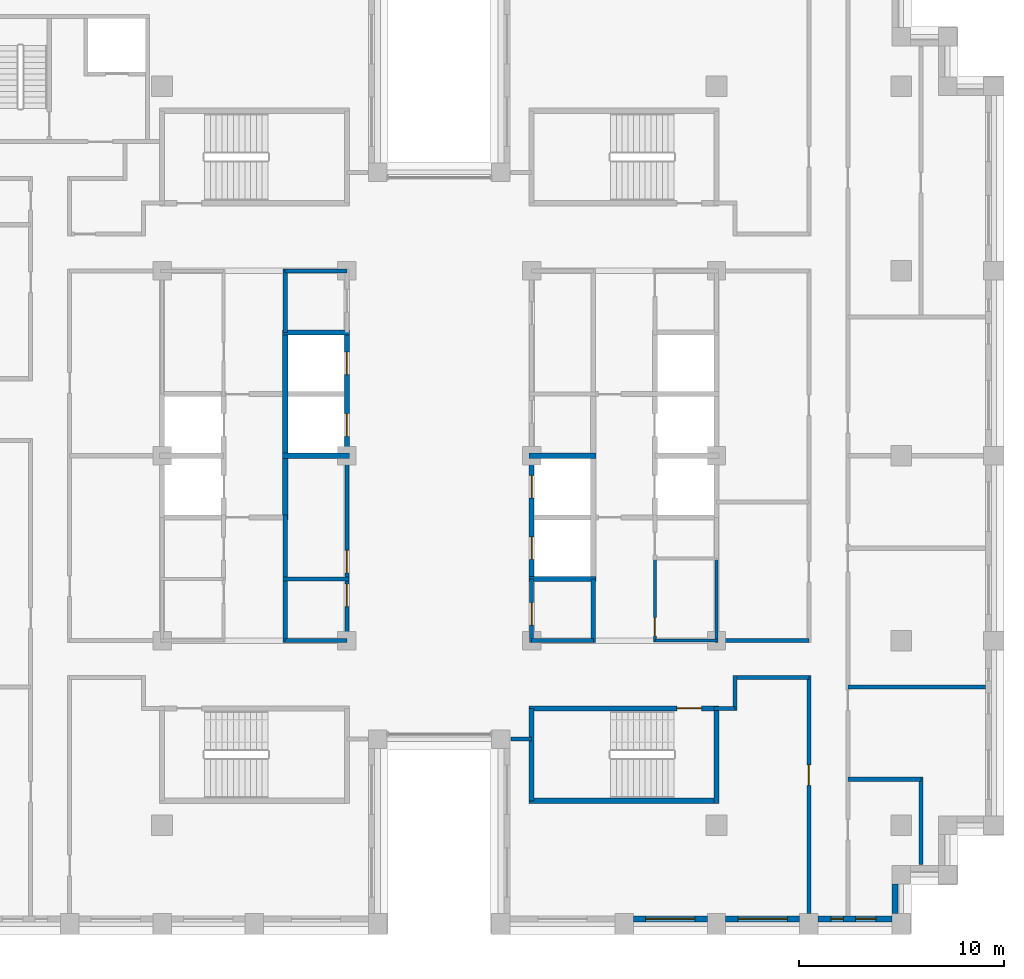
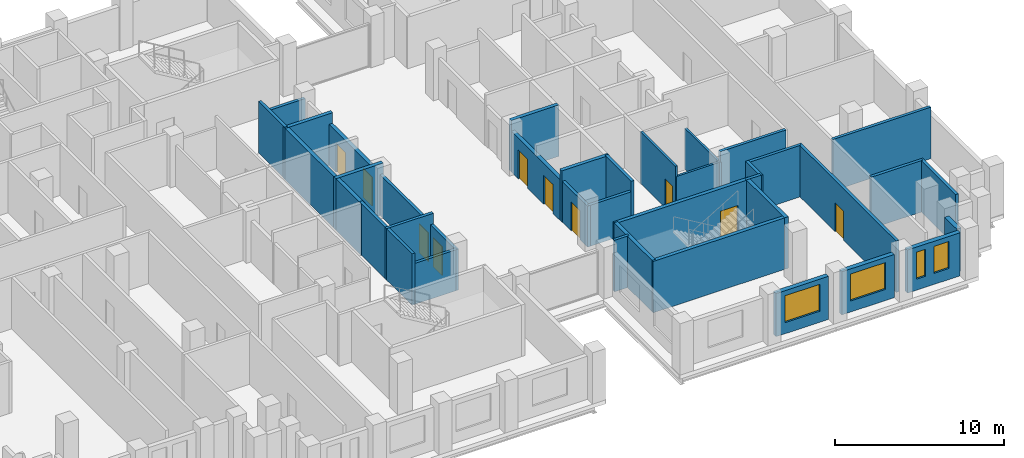
# One storey, part 8 of 15: 36 walls, 10 doors, 4 windows, 14 openings.
"""IFC4 building model written with IfcOpenShell, lengths in metres."""

from ifc_helpers import new_model, si_unit, direction, frame, frame_2d, origin, place, context, subcontext, project, spatial, rectangle, extrude, material, layer, layer_set, type_object, element, fill, save


model = new_model("IFC4")

# Units and contexts
model_context = context("Model", 3, precision=1e-05, world=origin(), true_north=direction((0.0, 1.0)))
body_context = subcontext(model_context, "Body", "Model", "MODEL_VIEW")
ifc_project = project(units=[si_unit("LENGTHUNIT", "METRE"), si_unit("AREAUNIT", "SQUARE_METRE"), si_unit("VOLUMEUNIT", "CUBIC_METRE"), si_unit("PLANEANGLEUNIT", "RADIAN"), si_unit("MASSUNIT", "GRAM", prefix="KILO")], contexts=[model_context])

# Site, building, storey
site_placement = place(None, origin())
site = spatial("IfcSite", under=ifc_project, at=site_placement, CompositionType="ELEMENT")
building_placement = place(site_placement, origin())
building = spatial("IfcBuilding", under=site, at=building_placement, Name="Corbelhall Arena Tower", CompositionType="ELEMENT")
storey_placement = place(building_placement, frame((0.0, 0.0, 204.0)))
storey = spatial("IfcBuildingStorey", under=building, at=storey_placement, Name="L42", CompositionType="ELEMENT", Elevation=204.0)

# Wall, opening, window
ifc_material_1 = material(Name="Precast concrete C40/50 with granite facing", Category="masonry")
ifc_layer_1 = layer(ifc_material_1, 0.300048828125)
ifc_layer_set_1 = layer_set([ifc_layer_1], Name="EV-IW1 Infill panel 300")
wall_type_1 = type_object("IfcWallType", Name="EV-IW1 Infill panel 300", PredefinedType="SOLIDWALL", material=ifc_layer_set_1)
wall_1_placement = place(storey_placement, frame((9.449951171875, -22.550048828125, 0.0), z_axis=(0.0, 0.0, 1.0), x_axis=(1.0, 0.0, 0.0)))
wall_1 = element("IfcWall", 1, at=wall_1_placement, inside=storey, type_object=wall_type_1, Name="Infill panel IW1", PredefinedType="SOLIDWALL", context=body_context, shape_type="SweptSolid", body=[
    extrude(rectangle(XDim=3.60009765625, YDim=0.300048828125, at=frame_2d((1.800048828125, 0.0))), origin(), (0.0, 0.0, 1.0), 3.1201171875),
])
opening_1_placement = place(wall_1_placement, frame((0.60009765625, 0.0, 0.800048828125)))
opening_1 = element("IfcOpeningElement", 2, at=opening_1_placement, cuts=wall_1, Name="Opening WN1", PredefinedType="OPENING", context=body_context, shape_type="SweptSolid", body=[
    extrude(rectangle(XDim=2.39990234375, YDim=1.949951171875, at=frame_2d((1.199951171875, 0.97509765625))), frame((0.0, 0.14990234375, 0.0), z_axis=(0.0, -1.0, 0.0), x_axis=(1.0, 0.0, 0.0)), (0.0, 0.0, 1.0), 0.300048828125),
])
ifc_material_2 = material(Name="Aluminium black anodised", Category="aluminium")
window_type_1 = type_object("IfcWindowType", Name="EV-WN1 Office window", PartitioningType="SINGLE_PANEL", PredefinedType="WINDOW", material=ifc_material_2)
window_1_placement = place(opening_1_placement, origin())
window_1 = element("IfcWindow", 3, at=window_1_placement, inside=storey, type_object=window_type_1, Name="Window WN1", OverallHeight=1.949951171875, OverallWidth=2.39990234375, PartitioningType="SINGLE_PANEL", PredefinedType="WINDOW", context=body_context, shape_type="SweptSolid", body=[
    extrude(rectangle(XDim=2.39990234375, YDim=1.949951171875, at=frame_2d((1.199951171875, 0.97509765625))), frame((0.0, 0.030029296875, 0.0), z_axis=(0.0, -1.0, 0.0), x_axis=(1.0, 0.0, 0.0)), (0.0, 0.0, 1.0), 0.06005859375),
])
fill(opening_1, window_1)

wall_2_placement = place(storey_placement, frame((13.949951171875, -22.550048828125, 0.0), z_axis=(0.0, 0.0, 1.0), x_axis=(1.0, 0.0, 0.0)))
wall_2 = element("IfcWall", 4, at=wall_2_placement, inside=storey, type_object=wall_type_1, Name="Infill panel IW1", PredefinedType="SOLIDWALL", context=body_context, shape_type="SweptSolid", body=[
    extrude(rectangle(XDim=3.60009765625, YDim=0.300048828125, at=frame_2d((1.800048828125, 0.0))), origin(), (0.0, 0.0, 1.0), 3.1201171875),
])
opening_2_placement = place(wall_2_placement, frame((0.60009765625, 0.0, 0.800048828125)))
opening_2 = element("IfcOpeningElement", 5, at=opening_2_placement, cuts=wall_2, Name="Opening WN1", PredefinedType="OPENING", context=body_context, shape_type="SweptSolid", body=[
    extrude(rectangle(XDim=2.39990234375, YDim=1.949951171875, at=frame_2d((1.199951171875, 0.97509765625))), frame((0.0, 0.14990234375, 0.0), z_axis=(0.0, -1.0, 0.0), x_axis=(1.0, 0.0, 0.0)), (0.0, 0.0, 1.0), 0.300048828125),
])
window_2_placement = place(opening_2_placement, origin())
window_2 = element("IfcWindow", 6, at=window_2_placement, inside=storey, type_object=window_type_1, Name="Window WN1", OverallHeight=1.949951171875, OverallWidth=2.39990234375, PartitioningType="SINGLE_PANEL", PredefinedType="WINDOW", context=body_context, shape_type="SweptSolid", body=[
    extrude(rectangle(XDim=2.39990234375, YDim=1.949951171875, at=frame_2d((1.199951171875, 0.97509765625))), frame((0.0, 0.030029296875, 0.0), z_axis=(0.0, -1.0, 0.0), x_axis=(1.0, 0.0, 0.0)), (0.0, 0.0, 1.0), 0.06005859375),
])
fill(opening_2, window_2)

# Wall, openings, windows
wall_3_placement = place(storey_placement, frame((18.449951171875, -22.550048828125, 0.0), z_axis=(0.0, 0.0, 1.0), x_axis=(1.0, 0.0, 0.0)))
wall_3 = element("IfcWall", 7, at=wall_3_placement, inside=storey, type_object=wall_type_1, Name="Infill panel IW1", PredefinedType="SOLIDWALL", context=body_context, shape_type="SweptSolid", body=[
    extrude(rectangle(XDim=3.60009765625, YDim=0.300048828125, at=frame_2d((1.800048828125, 0.0))), origin(), (0.0, 0.0, 1.0), 3.1201171875),
])
opening_3_placement = place(wall_3_placement, frame((0.625, 0.0, 0.800048828125)))
opening_3 = element("IfcOpeningElement", 8, at=opening_3_placement, cuts=wall_3, Name="Opening WN5", PredefinedType="OPENING", context=body_context, shape_type="SweptSolid", body=[
    extrude(rectangle(XDim=0.60009765625, YDim=1.949951171875, at=frame_2d((0.300048828125, 0.97509765625))), frame((0.0, 0.14990234375, 0.0), z_axis=(0.0, -1.0, 0.0), x_axis=(1.0, 0.0, 0.0)), (0.0, 0.0, 1.0), 0.300048828125),
])
opening_4_placement = place(wall_3_placement, frame((1.824951171875, 0.0, 0.800048828125)))
opening_4 = element("IfcOpeningElement", 9, at=opening_4_placement, cuts=wall_3, Name="Opening WN6", PredefinedType="OPENING", context=body_context, shape_type="SweptSolid", body=[
    extrude(rectangle(XDim=1.0, YDim=1.949951171875, at=frame_2d((0.5, 0.97509765625))), frame((0.0, 0.14990234375, 0.0), z_axis=(0.0, -1.0, 0.0), x_axis=(1.0, 0.0, 0.0)), (0.0, 0.0, 1.0), 0.300048828125),
])
window_type_2 = type_object("IfcWindowType", Name="EV-WN5 Office window 600", PartitioningType="SINGLE_PANEL", PredefinedType="WINDOW", material=ifc_material_2)
window_3_placement = place(opening_3_placement, origin())
window_3 = element("IfcWindow", 10, at=window_3_placement, inside=storey, type_object=window_type_2, Name="Window WN5", OverallHeight=1.949951171875, OverallWidth=0.60009765625, PartitioningType="SINGLE_PANEL", PredefinedType="WINDOW", context=body_context, shape_type="SweptSolid", body=[
    extrude(rectangle(XDim=0.60009765625, YDim=1.949951171875, at=frame_2d((0.300048828125, 0.97509765625))), frame((0.0, 0.030029296875, 0.0), z_axis=(0.0, -1.0, 0.0), x_axis=(1.0, 0.0, 0.0)), (0.0, 0.0, 1.0), 0.06005859375),
])
fill(opening_3, window_3)
window_type_3 = type_object("IfcWindowType", Name="EV-WN6 Office window 1000", PartitioningType="SINGLE_PANEL", PredefinedType="WINDOW", material=ifc_material_2)
window_4_placement = place(opening_4_placement, origin())
window_4 = element("IfcWindow", 11, at=window_4_placement, inside=storey, type_object=window_type_3, Name="Window WN6", OverallHeight=1.949951171875, OverallWidth=1.0, PartitioningType="SINGLE_PANEL", PredefinedType="WINDOW", context=body_context, shape_type="SweptSolid", body=[
    extrude(rectangle(XDim=1.0, YDim=1.949951171875, at=frame_2d((0.5, 0.97509765625))), frame((0.0, 0.030029296875, 0.0), z_axis=(0.0, -1.0, 0.0), x_axis=(1.0, 0.0, 0.0)), (0.0, 0.0, 1.0), 0.06005859375),
])
fill(opening_4, window_4)

# Walls
wall_4_placement = place(storey_placement, frame((22.199951171875, -22.300048828125, 0.0), z_axis=(0.0, 0.0, 1.0), x_axis=(0.0, 1.0, 0.0)))
element("IfcWall", 12, at=wall_4_placement, inside=storey, type_object=wall_type_1, Name="Infill panel IW1", PredefinedType="SOLIDWALL", context=body_context, shape_type="SweptSolid", body=[
    extrude(rectangle(XDim=1.449951171875, YDim=0.300048828125, at=frame_2d((0.72509765625, 0.0))), origin(), (0.0, 0.0, 1.0), 3.1201171875),
])
ifc_material_3 = material(Name="Gypsum board on steel stud, acoustic", Category="steel")
ifc_layer_2 = layer(ifc_material_3, 0.199951171875)
ifc_layer_set_2 = layer_set([ifc_layer_2], Name="IN-W-DM200")
wall_type_2 = type_object("IfcWallType", Name="IN-W-DM200", PredefinedType="PARTITIONING", material=ifc_layer_set_2)
wall_5_placement = place(storey_placement, frame((4.5, -13.800048828125, 0.0), z_axis=(0.0, 0.0, 1.0), x_axis=(-1.0, 0.0, 0.0)))
element("IfcWall", 13, at=wall_5_placement, inside=storey, type_object=wall_type_2, Name="Partition 035", PredefinedType="PARTITIONING", context=body_context, shape_type="SweptSolid", body=[
    extrude(rectangle(XDim=1.0, YDim=0.199951171875, at=frame_2d((0.5, 0.0))), origin(), (0.0, 0.0, 1.0), 3.719970703125),
])
wall_6_placement = place(storey_placement, frame((13.5, -9.0, 0.0), z_axis=(0.0, 0.0, 1.0), x_axis=(1.0, 0.0, 0.0)))
element("IfcWall", 14, at=wall_6_placement, inside=storey, type_object=wall_type_2, Name="Partition 037", PredefinedType="PARTITIONING", context=body_context, shape_type="SweptSolid", body=[
    extrude(rectangle(XDim=4.5, YDim=0.199951171875, at=frame_2d((2.25, 0.0))), origin(), (0.0, 0.0, 1.0), 3.719970703125),
])
wall_7_placement = place(storey_placement, frame((14.39990234375, -12.300048828125, 0.0), z_axis=(0.0, 0.0, 1.0), x_axis=(-1.0, 0.0, 0.0)))
element("IfcWall", 15, at=wall_7_placement, inside=storey, type_object=wall_type_2, Name="Partition 039", PredefinedType="PARTITIONING", context=body_context, shape_type="SweptSolid", body=[
    extrude(rectangle(XDim=1.02490234375, YDim=0.199951171875, at=frame_2d((0.512451171875, 0.0))), origin(), (0.0, 0.0, 1.0), 3.719970703125),
])
wall_8_placement = place(storey_placement, frame((14.39990234375, -10.699951171875, 0.0), z_axis=(0.0, 0.0, 1.0), x_axis=(0.0, -1.0, 0.0)))
element("IfcWall", 16, at=wall_8_placement, inside=storey, type_object=wall_type_2, Name="Partition 040", PredefinedType="PARTITIONING", context=body_context, shape_type="SweptSolid", body=[
    extrude(rectangle(XDim=1.699951171875, YDim=0.199951171875, at=frame_2d((0.85009765625, 0.0))), origin(), (0.0, 0.0, 1.0), 3.719970703125),
])

# Wall, opening, door
wall_9_placement = place(storey_placement, frame((18.0, -22.300048828125, 0.0), z_axis=(0.0, 0.0, 1.0), x_axis=(0.0, 1.0, 0.0)))
wall_9 = element("IfcWall", 17, at=wall_9_placement, inside=storey, type_object=wall_type_2, Name="Partition 044", PredefinedType="PARTITIONING", context=body_context, shape_type="SweptSolid", body=[
    extrude(rectangle(XDim=11.60009765625, YDim=0.199951171875, at=frame_2d((5.800048828125, 0.0))), origin(), (0.0, 0.0, 1.0), 3.719970703125),
])
opening_5_placement = place(wall_9_placement, frame((6.25, 0.0, 0.0)))
opening_5 = element("IfcOpeningElement", 18, at=opening_5_placement, cuts=wall_9, Name="Opening 12030", PredefinedType="OPENING", context=body_context, shape_type="SweptSolid", body=[
    extrude(rectangle(XDim=1.0, YDim=2.10009765625, at=frame_2d((0.5, 1.050048828125))), frame((0.0, 0.10009765625, 0.0), z_axis=(0.0, -1.0, 0.0), x_axis=(1.0, 0.0, 0.0)), (0.0, 0.0, 1.0), 0.199951171875),
])
ifc_material_4 = material(Name="Steel door set", Category="steel")
door_type_1 = type_object("IfcDoorType", Name="IN-D-SW100", OperationType="NOTDEFINED", PredefinedType="DOOR", material=ifc_material_4)
door_1_placement = place(opening_5_placement, origin())
door_1 = element("IfcDoor", 19, at=door_1_placement, inside=storey, type_object=door_type_1, Name="Door 030", OperationType="SINGLE_SWING_LEFT", OverallHeight=2.10009765625, OverallWidth=1.0, PredefinedType="DOOR", context=body_context, shape_type="SweptSolid", body=[
    extrude(rectangle(XDim=1.0, YDim=2.10009765625, at=frame_2d((0.5, 1.050048828125))), frame((0.0, 0.02490234375, 0.0), z_axis=(0.0, -1.0, 0.0), x_axis=(1.0, 0.0, 0.0)), (0.0, 0.0, 1.0), 0.050048828125),
])
fill(opening_5, door_1)

# Walls
wall_10_placement = place(storey_placement, frame((18.0, -10.800048828125, 0.0), z_axis=(0.0, 0.0, 1.0), x_axis=(-1.0, 0.0, 0.0)))
element("IfcWall", 20, at=wall_10_placement, inside=storey, type_object=wall_type_2, Name="Partition 045", PredefinedType="PARTITIONING", context=body_context, shape_type="SweptSolid", body=[
    extrude(rectangle(XDim=3.60009765625, YDim=0.199951171875, at=frame_2d((1.800048828125, 0.0))), origin(), (0.0, 0.0, 1.0), 3.719970703125),
])
wall_11_placement = place(storey_placement, frame((19.89990234375, -15.75, 0.0), z_axis=(0.0, 0.0, 1.0), x_axis=(1.0, 0.0, 0.0)))
element("IfcWall", 21, at=wall_11_placement, inside=storey, type_object=wall_type_2, Name="Partition 048", PredefinedType="PARTITIONING", context=body_context, shape_type="SweptSolid", body=[
    extrude(rectangle(XDim=3.550048828125, YDim=0.199951171875, at=frame_2d((1.77490234375, 0.0))), origin(), (0.0, 0.0, 1.0), 3.719970703125),
])
wall_12_placement = place(storey_placement, frame((19.89990234375, -11.25, 0.0), z_axis=(0.0, 0.0, 1.0), x_axis=(1.0, 0.0, 0.0)))
element("IfcWall", 22, at=wall_12_placement, inside=storey, type_object=wall_type_2, Name="Partition 050", PredefinedType="PARTITIONING", context=body_context, shape_type="SweptSolid", body=[
    extrude(rectangle(XDim=6.7001953125, YDim=0.199951171875, at=frame_2d((3.35009765625, 0.0))), origin(), (0.0, 0.0, 1.0), 3.719970703125),
])
wall_13_placement = place(storey_placement, frame((23.449951171875, -15.64990234375, 0.0), z_axis=(0.0, 0.0, 1.0), x_axis=(0.0, -1.0, 0.0)))
element("IfcWall", 23, at=wall_13_placement, inside=storey, type_object=wall_type_2, Name="Partition 053", PredefinedType="PARTITIONING", context=body_context, shape_type="SweptSolid", body=[
    extrude(rectangle(XDim=4.25, YDim=0.199951171875, at=frame_2d((2.125, 0.0))), origin(), (0.0, 0.0, 1.0), 3.719970703125),
])
ifc_material_5 = material(Name="Concrete block wall", Category="concrete")
ifc_layer_3 = layer(ifc_material_5, 0.199951171875)
ifc_layer_set_3 = layer_set([ifc_layer_3], Name="IN-W-RS200")
wall_type_3 = type_object("IfcWallType", Name="IN-W-RS200", PredefinedType="SOLIDWALL", material=ifc_layer_set_3)
wall_14_placement = place(storey_placement, frame((-7.60009765625, -6.0, 0.0), z_axis=(0.0, 0.0, 1.0), x_axis=(1.0, 0.0, 0.0)))
element("IfcWall", 24, at=wall_14_placement, inside=storey, type_object=wall_type_3, Name="Partition 058", PredefinedType="SOLIDWALL", context=body_context, shape_type="SweptSolid", body=[
    extrude(rectangle(XDim=3.2001953125, YDim=0.199951171875, at=frame_2d((1.60009765625, 0.0))), origin(), (0.0, 0.0, 1.0), 3.719970703125),
])
wall_15_placement = place(storey_placement, frame((-7.5, -9.10009765625, 0.0), z_axis=(0.0, 0.0, 1.0), x_axis=(0.0, 1.0, 0.0)))
element("IfcWall", 25, at=wall_15_placement, inside=storey, type_object=wall_type_3, Name="Partition 059", PredefinedType="SOLIDWALL", context=body_context, shape_type="SweptSolid", body=[
    extrude(rectangle(XDim=6.22509765625, YDim=0.199951171875, at=frame_2d((3.112548828125, 0.0))), origin(), (0.0, 0.0, 1.0), 3.719970703125),
])
for number, where, z_axis, x_axis, name in (
    (26, (-7.5, 6.0, 0.0), (0.0, 0.0, 1.0), (0.0, 1.0, 0.0), "Partition 060"),
    (27, (7.5, -6.0, 0.0), (0.0, 0.0, 1.0), (0.0, -1.0, 0.0), "Partition 070"),
):
    element("IfcWall", number, at=place(storey_placement, frame(where, z_axis=z_axis, x_axis=x_axis)), inside=storey, type_object=wall_type_3, Name=name, PredefinedType="SOLIDWALL", context=body_context, shape_type="SweptSolid", body=[
        extrude(rectangle(XDim=3.10009765625, YDim=0.199951171875, at=frame_2d((1.550048828125, 0.0))), origin(), (0.0, 0.0, 1.0), 3.719970703125),
    ])
ifc_layer_4 = layer(ifc_material_5, 0.199951171875)
ifc_layer_set_4 = layer_set([ifc_layer_4], Name="IN-W-RS200 under beam 762 mm")
wall_type_4 = type_object("IfcWallType", Name="IN-W-RS200 under beam 762 mm", PredefinedType="SOLIDWALL", material=ifc_layer_set_4)
for number, where, z_axis, x_axis, name in (
    (28, (-7.5, 9.0, 0.0), (0.0, 0.0, 1.0), (1.0, 0.0, 0.0), "Partition 061"),
    (29, (-4.5, -9.0, 0.0), (0.0, 0.0, 1.0), (-1.0, 0.0, 0.0), "Partition 062"),
):
    element("IfcWall", number, at=place(storey_placement, frame(where, z_axis=z_axis, x_axis=x_axis)), inside=storey, type_object=wall_type_4, Name=name, PredefinedType="SOLIDWALL", context=body_context, shape_type="SweptSolid", body=[
        extrude(rectangle(XDim=3.0, YDim=0.199951171875, at=frame_2d((1.5, 0.0))), origin(), (0.0, 0.0, 1.0), 2.9580078125),
    ])

# Wall, openings, doors
wall_16_placement = place(storey_placement, frame((-4.5, 0.0, 0.0), z_axis=(0.0, 0.0, 1.0), x_axis=(0.0, -1.0, 0.0)))
wall_16 = element("IfcWall", 30, at=wall_16_placement, inside=storey, type_object=wall_type_4, Name="Partition 063", PredefinedType="SOLIDWALL", context=body_context, shape_type="SweptSolid", body=[
    extrude(rectangle(XDim=9.10009765625, YDim=0.199951171875, at=frame_2d((4.550048828125, 0.0))), origin(), (0.0, 0.0, 1.0), 2.9580078125),
])
opening_6_placement = place(wall_16_placement, frame((6.25, 0.0, 0.0)))
opening_6 = element("IfcOpeningElement", 31, at=opening_6_placement, cuts=wall_16, Name="Opening 12001", PredefinedType="OPENING", context=body_context, shape_type="SweptSolid", body=[
    extrude(rectangle(XDim=1.10009765625, YDim=2.10009765625, at=frame_2d((0.550048828125, 1.050048828125))), frame((0.0, 0.10009765625, 0.0), z_axis=(0.0, -1.0, 0.0), x_axis=(1.0, 0.0, 0.0)), (0.0, 0.0, 1.0), 0.199951171875),
])
opening_7_placement = place(wall_16_placement, frame((4.60009765625, 0.0, 0.0)))
opening_7 = element("IfcOpeningElement", 32, at=opening_7_placement, cuts=wall_16, Name="Opening 12002", PredefinedType="OPENING", context=body_context, shape_type="SweptSolid", body=[
    extrude(rectangle(XDim=1.10009765625, YDim=2.10009765625, at=frame_2d((0.550048828125, 1.050048828125))), frame((0.0, 0.10009765625, 0.0), z_axis=(0.0, -1.0, 0.0), x_axis=(1.0, 0.0, 0.0)), (0.0, 0.0, 1.0), 0.199951171875),
])
door_type_2 = type_object("IfcDoorType", Name="IN-D-FD110", OperationType="NOTDEFINED", PredefinedType="DOOR", material=ifc_material_4)
door_2_placement = place(opening_6_placement, origin())
door_2 = element("IfcDoor", 33, at=door_2_placement, inside=storey, type_object=door_type_2, Name="Door 001", OperationType="SINGLE_SWING_RIGHT", OverallHeight=2.10009765625, OverallWidth=1.10009765625, PredefinedType="DOOR", context=body_context, shape_type="SweptSolid", body=[
    extrude(rectangle(XDim=1.10009765625, YDim=2.10009765625, at=frame_2d((0.550048828125, 1.050048828125))), frame((0.0, 0.02490234375, 0.0), z_axis=(0.0, -1.0, 0.0), x_axis=(1.0, 0.0, 0.0)), (0.0, 0.0, 1.0), 0.050048828125),
])
fill(opening_6, door_2)
door_3_placement = place(opening_7_placement, origin())
door_3 = element("IfcDoor", 34, at=door_3_placement, inside=storey, type_object=door_type_2, Name="Door 002", OperationType="SINGLE_SWING_LEFT", OverallHeight=2.10009765625, OverallWidth=1.10009765625, PredefinedType="DOOR", context=body_context, shape_type="SweptSolid", body=[
    extrude(rectangle(XDim=1.10009765625, YDim=2.10009765625, at=frame_2d((0.550048828125, 1.050048828125))), frame((0.0, 0.02490234375, 0.0), z_axis=(0.0, -1.0, 0.0), x_axis=(1.0, 0.0, 0.0)), (0.0, 0.0, 1.0), 0.050048828125),
])
fill(opening_7, door_3)

# Wall, opening, door
wall_17_placement = place(storey_placement, frame((4.5, -9.10009765625, 0.0), z_axis=(0.0, 0.0, 1.0), x_axis=(0.0, 1.0, 0.0)))
wall_17 = element("IfcWall", 35, at=wall_17_placement, inside=storey, type_object=wall_type_4, Name="Partition 066", PredefinedType="SOLIDWALL", context=body_context, shape_type="SweptSolid", body=[
    extrude(rectangle(XDim=3.10009765625, YDim=0.199951171875, at=frame_2d((1.550048828125, 0.0))), origin(), (0.0, 0.0, 1.0), 2.9580078125),
])
opening_8_placement = place(wall_17_placement, frame((0.85009765625, 0.0, 0.0)))
opening_8 = element("IfcOpeningElement", 36, at=opening_8_placement, cuts=wall_17, Name="Opening 12009", PredefinedType="OPENING", context=body_context, shape_type="SweptSolid", body=[
    extrude(rectangle(XDim=1.10009765625, YDim=2.10009765625, at=frame_2d((0.550048828125, 1.050048828125))), frame((0.0, 0.10009765625, 0.0), z_axis=(0.0, -1.0, 0.0), x_axis=(1.0, 0.0, 0.0)), (0.0, 0.0, 1.0), 0.199951171875),
])
door_4_placement = place(opening_8_placement, origin())
door_4 = element("IfcDoor", 37, at=door_4_placement, inside=storey, type_object=door_type_2, Name="Door 009", OperationType="SINGLE_SWING_RIGHT", OverallHeight=2.10009765625, OverallWidth=1.10009765625, PredefinedType="DOOR", context=body_context, shape_type="SweptSolid", body=[
    extrude(rectangle(XDim=1.10009765625, YDim=2.10009765625, at=frame_2d((0.550048828125, 1.050048828125))), frame((0.0, 0.02490234375, 0.0), z_axis=(0.0, -1.0, 0.0), x_axis=(1.0, 0.0, 0.0)), (0.0, 0.0, 1.0), 0.050048828125),
])
fill(opening_8, door_4)

# Walls
wall_18_placement = place(storey_placement, frame((7.5, -9.0, 0.0), z_axis=(0.0, 0.0, 1.0), x_axis=(-1.0, 0.0, 0.0)))
element("IfcWall", 38, at=wall_18_placement, inside=storey, type_object=wall_type_4, Name="Partition 069", PredefinedType="SOLIDWALL", context=body_context, shape_type="SweptSolid", body=[
    extrude(rectangle(XDim=3.0, YDim=0.199951171875, at=frame_2d((1.5, 0.0))), origin(), (0.0, 0.0, 1.0), 2.9580078125),
])
ifc_material_6 = material(Name="Concrete C40/50", Category="concrete")
ifc_layer_5 = layer(ifc_material_6, 0.25)
ifc_layer_set_5 = layer_set([ifc_layer_5], Name="IN-W-SH250")
wall_type_5 = type_object("IfcWallType", Name="IN-W-SH250", PredefinedType="SOLIDWALL", material=ifc_layer_set_5)
for number, where, z_axis, x_axis, name in (
    (39, (-7.625, 0.0, 0.0), (0.0, 0.0, 1.0), (1.0, 0.0, 0.0), "Shaft wall 082"),
    (40, (-7.625, 6.0, 0.0), (0.0, 0.0, 1.0), (1.0, 0.0, 0.0), "Shaft wall 083"),
):
    element("IfcWall", number, at=place(storey_placement, frame(where, z_axis=z_axis, x_axis=x_axis)), inside=storey, type_object=wall_type_5, Name=name, PredefinedType="SOLIDWALL", context=body_context, shape_type="SweptSolid", body=[
        extrude(rectangle(XDim=3.25, YDim=0.25, at=frame_2d((1.625, 0.0))), origin(), (0.0, 0.0, 1.0), 3.719970703125),
    ])
wall_19_placement = place(storey_placement, frame((-7.5, -3.125, 0.0), z_axis=(0.0, 0.0, 1.0), x_axis=(0.0, 1.0, 0.0)))
element("IfcWall", 41, at=wall_19_placement, inside=storey, type_object=wall_type_5, Name="Shaft wall 084", PredefinedType="SOLIDWALL", context=body_context, shape_type="SweptSolid", body=[
    extrude(rectangle(XDim=9.125, YDim=0.25, at=frame_2d((4.5625, 0.0))), origin(), (0.0, 0.0, 1.0), 3.719970703125),
])
for number, where, z_axis, x_axis, name in (
    (42, (4.375, -6.0, 0.0), (0.0, 0.0, 1.0), (1.0, 0.0, 0.0), "Shaft wall 086"),
    (43, (4.375, 0.0, 0.0), (0.0, 0.0, 1.0), (1.0, 0.0, 0.0), "Shaft wall 088"),
):
    element("IfcWall", number, at=place(storey_placement, frame(where, z_axis=z_axis, x_axis=x_axis)), inside=storey, type_object=wall_type_5, Name=name, PredefinedType="SOLIDWALL", context=body_context, shape_type="SweptSolid", body=[
        extrude(rectangle(XDim=3.25, YDim=0.25, at=frame_2d((1.625, 0.0))), origin(), (0.0, 0.0, 1.0), 3.719970703125),
    ])

# Wall, openings, doors
ifc_layer_6 = layer(ifc_material_6, 0.25)
ifc_layer_set_6 = layer_set([ifc_layer_6], Name="IN-W-SH250 under beam 762 mm")
wall_type_6 = type_object("IfcWallType", Name="IN-W-SH250 under beam 762 mm", PredefinedType="SOLIDWALL", material=ifc_layer_set_6)
wall_20_placement = place(storey_placement, frame((-4.5, 6.0, 0.0), z_axis=(0.0, 0.0, 1.0), x_axis=(0.0, -1.0, 0.0)))
wall_20 = element("IfcWall", 44, at=wall_20_placement, inside=storey, type_object=wall_type_6, Name="Shaft wall 085", PredefinedType="SOLIDWALL", context=body_context, shape_type="SweptSolid", body=[
    extrude(rectangle(XDim=6.0, YDim=0.25, at=frame_2d((3.0, 0.0))), origin(), (0.0, 0.0, 1.0), 2.9580078125),
])
opening_9_placement = place(wall_20_placement, frame((3.949951171875, 0.0, 0.0)))
opening_9 = element("IfcOpeningElement", 45, at=opening_9_placement, cuts=wall_20, Name="Opening LD", PredefinedType="OPENING", context=body_context, shape_type="SweptSolid", body=[
    extrude(rectangle(XDim=1.10009765625, YDim=2.10009765625, at=frame_2d((0.550048828125, 1.050048828125))), frame((0.0, 0.125, 0.0), z_axis=(0.0, -1.0, 0.0), x_axis=(1.0, 0.0, 0.0)), (0.0, 0.0, 1.0), 0.25),
])
opening_10_placement = place(wall_20_placement, frame((0.949951171875, 0.0, 0.0)))
opening_10 = element("IfcOpeningElement", 46, at=opening_10_placement, cuts=wall_20, Name="Opening LD", PredefinedType="OPENING", context=body_context, shape_type="SweptSolid", body=[
    extrude(rectangle(XDim=1.10009765625, YDim=2.10009765625, at=frame_2d((0.550048828125, 1.050048828125))), frame((0.0, 0.125, 0.0), z_axis=(0.0, -1.0, 0.0), x_axis=(1.0, 0.0, 0.0)), (0.0, 0.0, 1.0), 0.25),
])
door_type_3 = type_object("IfcDoorType", Name="IN-D-LD110", OperationType="NOTDEFINED", PredefinedType="DOOR", material=ifc_material_4)
door_5_placement = place(opening_9_placement, origin())
door_5 = element("IfcDoor", 47, at=door_5_placement, inside=storey, type_object=door_type_3, Name="Landing door W4", OperationType="SLIDING_TO_LEFT", OverallHeight=2.10009765625, OverallWidth=1.10009765625, PredefinedType="DOOR", context=body_context, shape_type="SweptSolid", body=[
    extrude(rectangle(XDim=1.10009765625, YDim=2.10009765625, at=frame_2d((0.550048828125, 1.050048828125))), frame((0.0, 0.02490234375, 0.0), z_axis=(0.0, -1.0, 0.0), x_axis=(1.0, 0.0, 0.0)), (0.0, 0.0, 1.0), 0.050048828125),
])
fill(opening_9, door_5)
door_6_placement = place(opening_10_placement, origin())
door_6 = element("IfcDoor", 48, at=door_6_placement, inside=storey, type_object=door_type_3, Name="Landing door W5", OperationType="SLIDING_TO_LEFT", OverallHeight=2.10009765625, OverallWidth=1.10009765625, PredefinedType="DOOR", context=body_context, shape_type="SweptSolid", body=[
    extrude(rectangle(XDim=1.10009765625, YDim=2.10009765625, at=frame_2d((0.550048828125, 1.050048828125))), frame((0.0, 0.02490234375, 0.0), z_axis=(0.0, -1.0, 0.0), x_axis=(1.0, 0.0, 0.0)), (0.0, 0.0, 1.0), 0.050048828125),
])
fill(opening_10, door_6)

wall_21_placement = place(storey_placement, frame((4.5, -6.0, 0.0), z_axis=(0.0, 0.0, 1.0), x_axis=(0.0, 1.0, 0.0)))
wall_21 = element("IfcWall", 49, at=wall_21_placement, inside=storey, type_object=wall_type_6, Name="Shaft wall 089", PredefinedType="SOLIDWALL", context=body_context, shape_type="SweptSolid", body=[
    extrude(rectangle(XDim=6.0, YDim=0.25, at=frame_2d((3.0, 0.0))), origin(), (0.0, 0.0, 1.0), 2.9580078125),
])
opening_11_placement = place(wall_21_placement, frame((0.949951171875, 0.0, 0.0)))
opening_11 = element("IfcOpeningElement", 50, at=opening_11_placement, cuts=wall_21, Name="Opening LD", PredefinedType="OPENING", context=body_context, shape_type="SweptSolid", body=[
    extrude(rectangle(XDim=1.10009765625, YDim=2.10009765625, at=frame_2d((0.550048828125, 1.050048828125))), frame((0.0, 0.125, 0.0), z_axis=(0.0, -1.0, 0.0), x_axis=(1.0, 0.0, 0.0)), (0.0, 0.0, 1.0), 0.25),
])
opening_12_placement = place(wall_21_placement, frame((3.949951171875, 0.0, 0.0)))
opening_12 = element("IfcOpeningElement", 51, at=opening_12_placement, cuts=wall_21, Name="Opening LD", PredefinedType="OPENING", context=body_context, shape_type="SweptSolid", body=[
    extrude(rectangle(XDim=1.10009765625, YDim=2.10009765625, at=frame_2d((0.550048828125, 1.050048828125))), frame((0.0, 0.125, 0.0), z_axis=(0.0, -1.0, 0.0), x_axis=(1.0, 0.0, 0.0)), (0.0, 0.0, 1.0), 0.25),
])
door_7_placement = place(opening_11_placement, origin())
door_7 = element("IfcDoor", 52, at=door_7_placement, inside=storey, type_object=door_type_3, Name="Landing door E2", OperationType="SLIDING_TO_LEFT", OverallHeight=2.10009765625, OverallWidth=1.10009765625, PredefinedType="DOOR", context=body_context, shape_type="SweptSolid", body=[
    extrude(rectangle(XDim=1.10009765625, YDim=2.10009765625, at=frame_2d((0.550048828125, 1.050048828125))), frame((0.0, 0.02490234375, 0.0), z_axis=(0.0, -1.0, 0.0), x_axis=(1.0, 0.0, 0.0)), (0.0, 0.0, 1.0), 0.050048828125),
])
fill(opening_11, door_7)
door_8_placement = place(opening_12_placement, origin())
door_8 = element("IfcDoor", 53, at=door_8_placement, inside=storey, type_object=door_type_3, Name="Landing door E3", OperationType="SLIDING_TO_LEFT", OverallHeight=2.10009765625, OverallWidth=1.10009765625, PredefinedType="DOOR", context=body_context, shape_type="SweptSolid", body=[
    extrude(rectangle(XDim=1.10009765625, YDim=2.10009765625, at=frame_2d((0.550048828125, 1.050048828125))), frame((0.0, 0.02490234375, 0.0), z_axis=(0.0, -1.0, 0.0), x_axis=(1.0, 0.0, 0.0)), (0.0, 0.0, 1.0), 0.050048828125),
])
fill(opening_12, door_8)

# Walls
ifc_layer_7 = layer(ifc_material_6, 0.25)
ifc_layer_set_7 = layer_set([ifc_layer_7], Name="IN-W-ST250")
wall_type_7 = type_object("IfcWallType", Name="IN-W-ST250", PredefinedType="SOLIDWALL", material=ifc_layer_set_7)
wall_22_placement = place(storey_placement, frame((4.5, -16.800048828125, 0.0), z_axis=(0.0, 0.0, 1.0), x_axis=(0.0, 1.0, 0.0)))
element("IfcWall", 54, at=wall_22_placement, inside=storey, type_object=wall_type_7, Name="Shaft wall 112", PredefinedType="SOLIDWALL", context=body_context, shape_type="SweptSolid", body=[
    extrude(rectangle(XDim=4.5, YDim=0.25, at=frame_2d((2.25, 0.0))), origin(), (0.0, 0.0, 1.0), 3.719970703125),
])
wall_23_placement = place(storey_placement, frame((13.5, -16.800048828125, 0.0), z_axis=(0.0, 0.0, 1.0), x_axis=(-1.0, 0.0, 0.0)))
element("IfcWall", 55, at=wall_23_placement, inside=storey, type_object=wall_type_7, Name="Shaft wall 114", PredefinedType="SOLIDWALL", context=body_context, shape_type="SweptSolid", body=[
    extrude(rectangle(XDim=9.125, YDim=0.25, at=frame_2d((4.5625, 0.0))), origin(), (0.0, 0.0, 1.0), 3.719970703125),
])
wall_24_placement = place(storey_placement, frame((13.5, -12.300048828125, 0.0), z_axis=(0.0, 0.0, 1.0), x_axis=(0.0, -1.0, 0.0)))
element("IfcWall", 56, at=wall_24_placement, inside=storey, type_object=wall_type_7, Name="Shaft wall 115", PredefinedType="SOLIDWALL", context=body_context, shape_type="SweptSolid", body=[
    extrude(rectangle(XDim=4.625, YDim=0.25, at=frame_2d((2.3125, 0.0))), origin(), (0.0, 0.0, 1.0), 3.719970703125),
])

# Wall, opening, door
wall_25_placement = place(storey_placement, frame((13.625, -12.300048828125, 0.0), z_axis=(0.0, 0.0, 1.0), x_axis=(-1.0, 0.0, 0.0)))
wall_25 = element("IfcWall", 57, at=wall_25_placement, inside=storey, type_object=wall_type_7, Name="Shaft wall 117", PredefinedType="SOLIDWALL", context=body_context, shape_type="SweptSolid", body=[
    extrude(rectangle(XDim=9.25, YDim=0.25, at=frame_2d((4.625, 0.0))), origin(), (0.0, 0.0, 1.0), 3.719970703125),
])
opening_13_placement = place(wall_25_placement, frame((0.85009765625, 0.0, 0.0)))
opening_13 = element("IfcOpeningElement", 58, at=opening_13_placement, cuts=wall_25, Name="Opening 12020", PredefinedType="OPENING", context=body_context, shape_type="SweptSolid", body=[
    extrude(rectangle(XDim=1.199951171875, YDim=2.10009765625, at=frame_2d((0.60009765625, 1.050048828125))), frame((0.0, 0.125, 0.0), z_axis=(0.0, -1.0, 0.0), x_axis=(1.0, 0.0, 0.0)), (0.0, 0.0, 1.0), 0.25),
])
door_type_4 = type_object("IfcDoorType", Name="IN-D-ST120", OperationType="NOTDEFINED", PredefinedType="DOOR", material=ifc_material_4)
door_9_placement = place(opening_13_placement, origin())
door_9 = element("IfcDoor", 59, at=door_9_placement, inside=storey, type_object=door_type_4, Name="Door 020", OperationType="SINGLE_SWING_LEFT", OverallHeight=2.10009765625, OverallWidth=1.199951171875, PredefinedType="DOOR", context=body_context, shape_type="SweptSolid", body=[
    extrude(rectangle(XDim=1.199951171875, YDim=2.10009765625, at=frame_2d((0.60009765625, 1.050048828125))), frame((0.0, 0.02490234375, 0.0), z_axis=(0.0, -1.0, 0.0), x_axis=(1.0, 0.0, 0.0)), (0.0, 0.0, 1.0), 0.050048828125),
])
fill(opening_13, door_9)

ifc_material_7 = material(Name="Gypsum board on steel stud, moisture resistant", Category="steel")
ifc_layer_8 = layer(ifc_material_7, 0.14990234375)
ifc_layer_set_8 = layer_set([ifc_layer_8], Name="IN-W-WC150")
wall_type_8 = type_object("IfcWallType", Name="IN-W-WC150", PredefinedType="PARTITIONING", material=ifc_layer_set_8)
wall_26_placement = place(storey_placement, frame((10.5, -4.925048828125, 0.0), z_axis=(0.0, 0.0, 1.0), x_axis=(0.0, -1.0, 0.0)))
wall_26 = element("IfcWall", 60, at=wall_26_placement, inside=storey, type_object=wall_type_8, Name="Partition 126", PredefinedType="PARTITIONING", context=body_context, shape_type="SweptSolid", body=[
    extrude(rectangle(XDim=4.14990234375, YDim=0.14990234375, at=frame_2d((2.074951171875, 0.0))), origin(), (0.0, 0.0, 1.0), 3.719970703125),
])
opening_14_placement = place(wall_26_placement, frame((2.949951171875, 0.0, 0.0)))
opening_14 = element("IfcOpeningElement", 61, at=opening_14_placement, cuts=wall_26, Name="Opening 12014", PredefinedType="OPENING", context=body_context, shape_type="SweptSolid", body=[
    extrude(rectangle(XDim=0.89990234375, YDim=2.10009765625, at=frame_2d((0.449951171875, 1.050048828125))), frame((0.0, 0.074951171875, 0.0), z_axis=(0.0, -1.0, 0.0), x_axis=(1.0, 0.0, 0.0)), (0.0, 0.0, 1.0), 0.14990234375),
])
ifc_material_8 = material(Name="Timber door set", Category="wood")
door_type_5 = type_object("IfcDoorType", Name="IN-D-SW90", OperationType="NOTDEFINED", PredefinedType="DOOR", material=ifc_material_8)
door_10_placement = place(opening_14_placement, origin())
door_10 = element("IfcDoor", 62, at=door_10_placement, inside=storey, type_object=door_type_5, Name="Door 014", OperationType="SINGLE_SWING_LEFT", OverallHeight=2.10009765625, OverallWidth=0.89990234375, PredefinedType="DOOR", context=body_context, shape_type="SweptSolid", body=[
    extrude(rectangle(XDim=0.89990234375, YDim=2.10009765625, at=frame_2d((0.449951171875, 1.050048828125))), frame((0.0, 0.02490234375, 0.0), z_axis=(0.0, -1.0, 0.0), x_axis=(1.0, 0.0, 0.0)), (0.0, 0.0, 1.0), 0.050048828125),
])
fill(opening_14, door_10)

# Walls
ifc_layer_9 = layer(ifc_material_7, 0.14990234375)
ifc_layer_set_9 = layer_set([ifc_layer_9], Name="IN-W-WC150 under beam 762 mm")
wall_type_9 = type_object("IfcWallType", Name="IN-W-WC150 under beam 762 mm", PredefinedType="PARTITIONING", material=ifc_layer_set_9)
wall_27_placement = place(storey_placement, frame((13.5, -5.0, 0.0), z_axis=(0.0, 0.0, 1.0), x_axis=(0.0, -1.0, 0.0)))
element("IfcWall", 63, at=wall_27_placement, inside=storey, type_object=wall_type_9, Name="Partition 127", PredefinedType="PARTITIONING", context=body_context, shape_type="SweptSolid", body=[
    extrude(rectangle(XDim=4.10009765625, YDim=0.14990234375, at=frame_2d((2.050048828125, 0.0))), origin(), (0.0, 0.0, 1.0), 2.9580078125),
])
wall_28_placement = place(storey_placement, frame((13.574951171875, -9.0, 0.0), z_axis=(0.0, 0.0, 1.0), x_axis=(-1.0, 0.0, 0.0)))
element("IfcWall", 64, at=wall_28_placement, inside=storey, type_object=wall_type_9, Name="Partition 128", PredefinedType="PARTITIONING", context=body_context, shape_type="SweptSolid", body=[
    extrude(rectangle(XDim=3.074951171875, YDim=0.14990234375, at=frame_2d((1.53759765625, 0.0))), origin(), (0.0, 0.0, 1.0), 2.9580078125),
])

save(model, "model.ifc")
